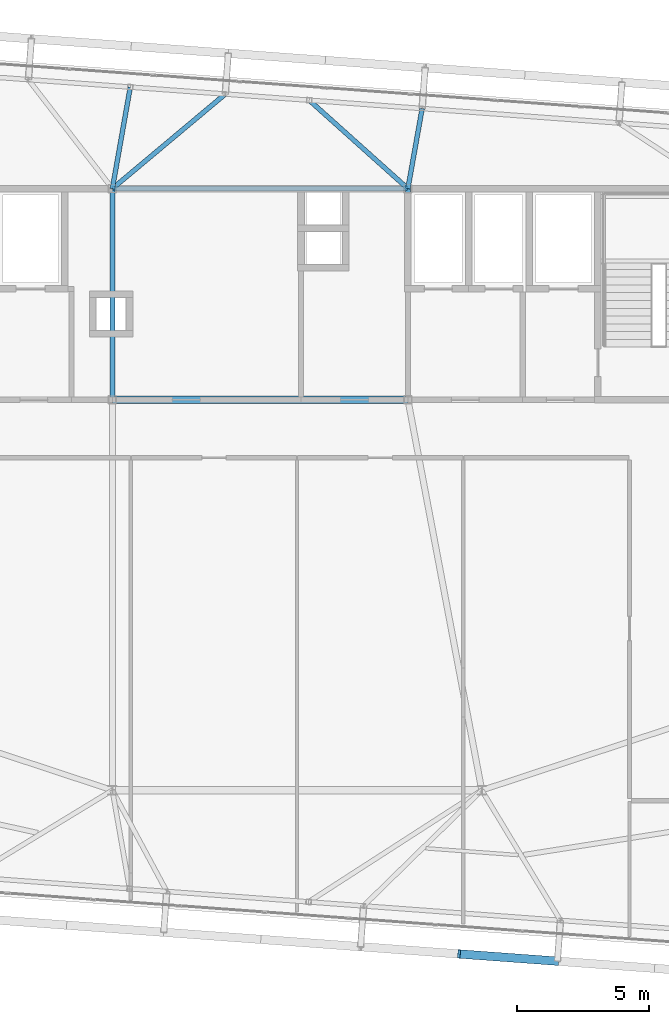
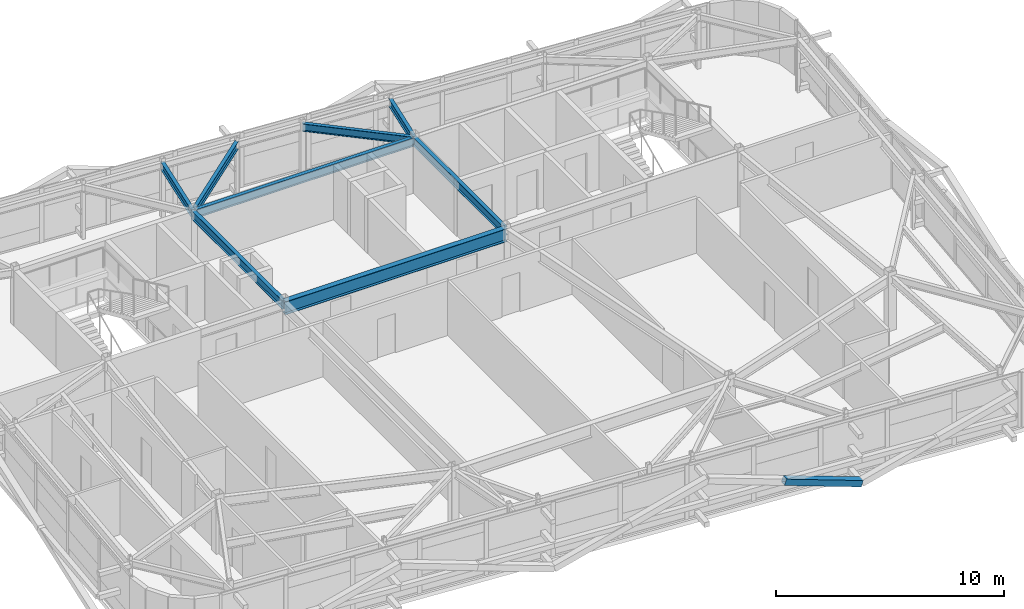
# One storey, part 18 of 42: 8 beams, 1 member.
"""IFC4 building model written with IfcOpenShell, lengths in metres."""

import ifcopenshell
import ifcopenshell.guid

model = None  # the IFC model being written
_history = None  # IfcOwnerHistory: only IFC2X3 demands one
_inside = {}  # id of a spatial element -> (the spatial element, [elements in it])
_under = {}  # id of a project, library or spatial element -> (it, [spatial elements below it])
_declared = {}  # id of a project -> (the project, [libraries it declares])
_typed = {}  # id of a type object -> (the type object, [elements of that type])
_made_of = {}  # id of a material, layer set ... -> (it, [elements and type objects made of it])


def new_model(schema):
    """Start an empty IFC model of exactly this schema.

    Asked for "IFC4X3", IfcOpenShell would pick the latest addendum, in which some entities
    have other attributes; the version numbers below select the first issue.
    IFC2X3 requires an IfcOwnerHistory on every rooted entity: one is made here for all.
    """
    global model, _history
    if schema == "IFC4X3":
        model = ifcopenshell.file(schema_version=(4, 3, 0, 0))
    else:
        model = ifcopenshell.file(schema=schema)
    _inside.clear()
    _under.clear()
    _declared.clear()
    _typed.clear()
    _made_of.clear()
    _history = None
    if model.schema == "IFC2X3":
        org = make("IfcOrganization", Name="unknown")
        user = make(
            "IfcPersonAndOrganization",
            ThePerson=make("IfcPerson", FamilyName="unknown"),
            TheOrganization=org,
        )
        app = make(
            "IfcApplication",
            ApplicationDeveloper=org,
            Version="unknown",
            ApplicationFullName="unknown",
            ApplicationIdentifier="unknown",
        )
        _history = make(
            "IfcOwnerHistory",
            OwningUser=user,
            OwningApplication=app,
            ChangeAction="ADDED",
            CreationDate=0,
        )
    return model


def make(cls, **values):
    """One entity of the class cls with the attributes given. An attribute that is None is left unset."""
    return model.create_entity(
        cls, **{name: value for name, value in values.items() if value is not None}
    )


def rooted(cls, **values):
    """An entity with a GlobalId (a new one), such as an element, a storey or a relation."""
    return make(cls, GlobalId=ifcopenshell.guid.new(), OwnerHistory=_history, **values)


def si_unit(unit_type, name, prefix=None):
    """IfcSIUnit, for example si_unit("LENGTHUNIT", "METRE", prefix="MILLI")."""
    return make("IfcSIUnit", UnitType=unit_type, Prefix=prefix, Name=name)


def assignment(units):
    """IfcUnitAssignment: the units of a project."""
    return None if units is None else make("IfcUnitAssignment", Units=units)


def point(xyz):
    """IfcCartesianPoint."""
    return None if xyz is None else make("IfcCartesianPoint", Coordinates=xyz)


def direction(xyz):
    """IfcDirection."""
    return None if xyz is None else make("IfcDirection", DirectionRatios=xyz)


def frame(location, z_axis=None, x_axis=None):
    """IfcAxis2Placement3D, a coordinate frame: its origin and axes. An axis left out is left unset."""
    return make(
        "IfcAxis2Placement3D",
        Location=point(location),
        Axis=direction(z_axis),
        RefDirection=direction(x_axis),
    )


def frame_2d(location, x_axis=None):
    """IfcAxis2Placement2D, a coordinate frame in the plane: its origin and x axis."""
    return make(
        "IfcAxis2Placement2D", Location=point(location), RefDirection=direction(x_axis)
    )


def origin():
    """The frame at (0, 0, 0) with its axes left unset."""
    return frame((0.0, 0.0, 0.0))


def origin_2d():
    """The frame at (0, 0) in the plane with its x axis left unset."""
    return frame_2d((0.0, 0.0))


def place(relative_to, where):
    """IfcLocalPlacement: puts the frame where relative to a parent placement (None: the world)."""
    return make(
        "IfcLocalPlacement", PlacementRelTo=relative_to, RelativePlacement=where
    )


def context(
    kind, dimensions, precision=None, world=None, true_north=None, identifier=None
):
    """IfcGeometricRepresentationContext, for example the 3D "Model" context."""
    return make(
        "IfcGeometricRepresentationContext",
        ContextIdentifier=identifier,
        ContextType=kind,
        CoordinateSpaceDimension=dimensions,
        Precision=precision,
        WorldCoordinateSystem=world,
        TrueNorth=true_north,
    )


def subcontext(parent, identifier, kind, view, scale=None):
    """IfcGeometricRepresentationSubContext, for example "Body" below "Model"."""
    return make(
        "IfcGeometricRepresentationSubContext",
        ContextIdentifier=identifier,
        ContextType=kind,
        ParentContext=parent,
        TargetScale=scale,
        TargetView=view,
    )


def project(units=None, contexts=None):
    """IfcProject with its units and contexts."""
    return rooted(
        "IfcProject",
        Name="project",
        RepresentationContexts=contexts,
        UnitsInContext=assignment(units),
    )


def spatial(cls, under=None, at=None, **own):
    """A site, building, storey or space (cls), placed at a placement, below another one or the project."""
    s = rooted(cls, ObjectPlacement=at, **own)
    if under is not None:
        _under.setdefault(under.id(), (under, []))[1].append(s)
    return s


def profile(cls, at=None, kind="AREA", **sizes):
    """A parametric profile (cls). Its sizes go by their IFC names, for example OverallWidth=200.0."""
    return make(cls, ProfileType=kind, Position=at, **sizes)


def hollow_rectangle(**sizes):
    """IfcRectangleHollowProfileDef."""
    return profile("IfcRectangleHollowProfileDef", **sizes)


def i_section(**sizes):
    """IfcIShapeProfileDef."""
    return profile("IfcIShapeProfileDef", **sizes)


def extrude(swept, where, along, depth):
    """IfcExtrudedAreaSolid: the profile swept, set in the frame where, extruded along a direction by depth."""
    return make(
        "IfcExtrudedAreaSolid",
        SweptArea=swept,
        Position=where,
        ExtrudedDirection=direction(along),
        Depth=depth,
    )


def shape(context_of_items, identifier, shape_type, items):
    """IfcShapeRepresentation: the items that make up one representation, for example the "Body"."""
    return make(
        "IfcShapeRepresentation",
        ContextOfItems=context_of_items,
        RepresentationIdentifier=identifier,
        RepresentationType=shape_type,
        Items=items,
    )


def source(mapping_origin, context_of_items, identifier, shape_type, items):
    """IfcRepresentationMap: a shape defined once, which mapped items show again and again."""
    return make(
        "IfcRepresentationMap",
        MappingOrigin=mapping_origin,
        MappedRepresentation=shape(context_of_items, identifier, shape_type, items),
    )


def transform(
    local_origin,
    x_axis=None,
    y_axis=None,
    z_axis=None,
    scale=None,
    scale2=None,
    scale3=None,
    uniform=True,
):
    """IfcCartesianTransformationOperator3D, or its non-uniform kind. x_axis, y_axis, z_axis: its Axis1, 2, 3."""
    if uniform:
        return make(
            "IfcCartesianTransformationOperator3D",
            Axis1=direction(x_axis),
            Axis2=direction(y_axis),
            LocalOrigin=point(local_origin),
            Scale=scale,
            Axis3=direction(z_axis),
        )
    return make(
        "IfcCartesianTransformationOperator3DnonUniform",
        Axis1=direction(x_axis),
        Axis2=direction(y_axis),
        LocalOrigin=point(local_origin),
        Scale=scale,
        Axis3=direction(z_axis),
        Scale2=scale2,
        Scale3=scale3,
    )


def mapped(mapping_source, mapping_target):
    """IfcMappedItem: shows the shape of a source again, moved by a transform."""
    return make(
        "IfcMappedItem", MappingSource=mapping_source, MappingTarget=mapping_target
    )


def material(Name=None, Category=None):
    """IfcMaterial."""
    return make("IfcMaterial", Name=Name, Category=Category)


def material_profile(
    of_material, cross_section, Name=None, Category=None, Priority=None
):
    """IfcMaterialProfile: a cross section and its material."""
    return make(
        "IfcMaterialProfile",
        Name=Name,
        Material=of_material,
        Profile=cross_section,
        Priority=Priority,
        Category=Category,
    )


def profile_set(profiles, Name=None, composite=None):
    """IfcMaterialProfileSet."""
    return make(
        "IfcMaterialProfileSet",
        Name=Name,
        MaterialProfiles=profiles,
        CompositeProfile=composite,
    )


def made_of(thing, what):
    """Note that an element or type object is made of a material, layer set ...; save() writes the relation."""
    if what is not None:
        _made_of.setdefault(what.id(), (what, []))[1].append(thing)
    return thing


def type_object(cls, material=None, **own):
    """A type object (cls), such as IfcWallType, which elements share."""
    return made_of(rooted(cls, **own), material)


def element(
    cls,
    number,
    at=None,
    inside=None,
    cuts=None,
    type_object=None,
    material=None,
    context=None,
    identifier="Body",
    shape_type=None,
    held_by="IfcProductDefinitionShape",
    body=None,
    shapes=None,
    **own,
):
    """One element of the class cls, such as IfcWall. Its Tag is "e" and its number.

    at: its placement. inside: the storey or other place that contains it. cuts: it is an
    opening in that element (IfcRelVoidsElement). A single representation is given by context,
    identifier, shape_type and body (its items); several are given by shapes. held_by: the class
    of the entity that holds the representations. save() writes the other relations.
    """
    e = rooted(cls, Tag="e%d" % number, ObjectPlacement=at, **own)
    if body is not None:
        shapes = [shape(context, identifier, shape_type, body)]
    if shapes is not None:
        e.Representation = make(held_by, Representations=shapes)
    if inside is not None:
        _inside.setdefault(inside.id(), (inside, []))[1].append(e)
    if cuts is not None:
        rooted(
            "IfcRelVoidsElement", RelatingBuildingElement=cuts, RelatedOpeningElement=e
        )
    if type_object is not None:
        _typed.setdefault(type_object.id(), (type_object, []))[1].append(e)
    return made_of(e, material)


def aggregate(whole, parts):
    """IfcRelAggregates: a whole, such as a stair, and the parts it consists of."""
    return rooted("IfcRelAggregates", RelatingObject=whole, RelatedObjects=parts)


def save(model, path):
    """Write the relations noted so far, then the file.

    IfcRelAggregates (storeys below a building ...), IfcRelContainedInSpatialStructure (elements
    in a storey), IfcRelDefinesByType, IfcRelAssociatesMaterial and IfcRelDeclares: one each for
    every whole, place, type object, material and project.
    """
    for whole, parts in _under.values():
        aggregate(whole, parts)
    for where, things in _inside.values():
        rooted(
            "IfcRelContainedInSpatialStructure",
            RelatedElements=things,
            RelatingStructure=where,
        )
    for kind, things in _typed.values():
        rooted("IfcRelDefinesByType", RelatedObjects=things, RelatingType=kind)
    for what, things in _made_of.values():
        rooted("IfcRelAssociatesMaterial", RelatedObjects=things, RelatingMaterial=what)
    for by, libraries in _declared.values():
        rooted("IfcRelDeclares", RelatingContext=by, RelatedDefinitions=libraries)
    model.write(path)


model = new_model("IFC4")

# Units and contexts
model_context = context("Model", 3, precision=1e-05, world=origin(), true_north=direction((0.0, 1.0)))
body_context = subcontext(model_context, "Body", "Model", "MODEL_VIEW")
ifc_project = project(units=[si_unit("LENGTHUNIT", "METRE"), si_unit("AREAUNIT", "SQUARE_METRE"), si_unit("VOLUMEUNIT", "CUBIC_METRE"), si_unit("PLANEANGLEUNIT", "RADIAN"), si_unit("MASSUNIT", "GRAM", prefix="KILO")], contexts=[model_context])

# Site, building, storey
site_placement = place(None, origin())
site = spatial("IfcSite", under=ifc_project, at=site_placement, CompositionType="ELEMENT")
building_placement = place(site_placement, origin())
building = spatial("IfcBuilding", under=site, at=building_placement, Name="Taldren Reach Tower", CompositionType="ELEMENT")
storey_placement = place(building_placement, frame((0.0, 0.0, 224.0)))
storey = spatial("IfcBuildingStorey", under=building, at=storey_placement, Name="L68", CompositionType="ELEMENT", Elevation=224.0)

# Beams
ifc_material_1 = material(Name="Steel Gr 350 (350PLUS)", Category="steel")
ifc_material_profile_1 = material_profile(ifc_material_1, i_section(OverallWidth=0.19091796875, OverallDepth=0.4599609375, WebThickness=0.010009765625, FlangeThickness=0.01611328125, at=origin_2d()), Name="460UB82.1")
ifc_profile_set_1 = profile_set([ifc_material_profile_1], Name="Steel Gr 350 (350PLUS)")
beam_type_1 = type_object("IfcBeamType", Name="BM-UB460A", PredefinedType="BEAM", material=ifc_profile_set_1)
shared_shape_1 = source(origin(), body_context, "Body", "SweptSolid", [
    extrude(i_section(OverallWidth=0.19091796875, OverallDepth=0.4599609375, WebThickness=0.010009765625, FlangeThickness=0.01611328125, at=origin_2d()), origin(), (0.0, 0.0, 1.0), 11.199951171875),
])
beam_1_placement = place(storey_placement, frame((28.0, 32.0, 2.699951171875), z_axis=(1.0, 0.0, 0.0), x_axis=(0.0, 1.0, 0.0)))
element("IfcBeam", 1, at=beam_1_placement, inside=storey, type_object=beam_type_1, Name="Core-spine girder L68-SP05", PredefinedType="BEAM", context=body_context, shape_type="MappedRepresentation", body=[
    mapped(shared_shape_1, transform((0.0, 0.0, 0.0), scale=1.0)),
])
shared_shape_2 = source(origin(), body_context, "Body", "SweptSolid", [
    extrude(i_section(OverallWidth=0.19091796875, OverallDepth=0.4599609375, WebThickness=0.010009765625, FlangeThickness=0.01611328125, at=origin_2d()), origin(), (0.0, 0.0, 1.0), 8.0),
])
for number, where, z_axis, x_axis, name in (
    (2, (28.0, 24.0, 2.699951171875), (0.0, 1.0, 0.0), (-1.0, 0.0, 0.0), "Core-spine girder L68-SP07"),
    (3, (39.199951171875, 24.0, 2.699951171875), (0.0, 1.0, 0.0), (-1.0, 0.0, 0.0), "Core-spine girder L68-SP08"),
):
    element("IfcBeam", number, at=place(storey_placement, frame(where, z_axis=z_axis, x_axis=x_axis)), inside=storey, type_object=beam_type_1, Name=name, PredefinedType="BEAM", context=body_context, shape_type="MappedRepresentation", body=[
        mapped(shared_shape_2, transform((0.0, 0.0, 0.0), scale=1.0)),
    ])
ifc_material_profile_2 = material_profile(ifc_material_1, i_section(OverallWidth=0.177978515625, OverallDepth=0.406005859375, WebThickness=0.0078125, FlangeThickness=0.0126953125, at=origin_2d()), Name="410UB59.7")
ifc_profile_set_2 = profile_set([ifc_material_profile_2], Name="Steel Gr 350 (350PLUS)")
beam_type_2 = type_object("IfcBeamType", Name="BM-UB410", PredefinedType="BEAM", material=ifc_profile_set_2)
shared_shape_3 = source(origin(), body_context, "Body", "SweptSolid", [
    extrude(i_section(OverallWidth=0.177978515625, OverallDepth=0.406005859375, WebThickness=0.0078125, FlangeThickness=0.0126953125, at=origin_2d()), origin(), (0.0, 0.0, 1.0), 3.0830078125),
])
beam_2_placement = place(storey_placement, frame((39.199951171875, 32.0, 2.72705078125), z_axis=(0.17500945263, 0.984566753191, 0.0), x_axis=(-0.984566753191, 0.17500945263, 0.0)))
element("IfcBeam", 4, at=beam_2_placement, inside=storey, type_object=beam_type_2, Name="Primary floor girder B5-N4 L68", PredefinedType="BEAM", context=body_context, shape_type="MappedRepresentation", body=[
    mapped(shared_shape_3, transform((0.0, 0.0, 0.0), scale=1.0)),
])
shared_shape_4 = source(origin(), body_context, "Body", "SweptSolid", [
    extrude(i_section(OverallWidth=0.177978515625, OverallDepth=0.406005859375, WebThickness=0.0078125, FlangeThickness=0.0126953125, at=origin_2d()), origin(), (0.0, 0.0, 1.0), 5.02001953125),
])
beam_3_placement = place(storey_placement, frame((39.199951171875, 32.0, 2.72705078125), z_axis=(-0.744827782377, 0.667256753132, 0.0), x_axis=(-0.667256753132, -0.744827782377, 0.0)))
element("IfcBeam", 5, at=beam_3_placement, inside=storey, type_object=beam_type_2, Name="Primary floor girder B5-PJN2 L68", PredefinedType="BEAM", context=body_context, shape_type="MappedRepresentation", body=[
    mapped(shared_shape_4, transform((0.0, 0.0, 0.0), scale=1.0)),
])
shared_shape_5 = source(origin(), body_context, "Body", "SweptSolid", [
    extrude(i_section(OverallWidth=0.177978515625, OverallDepth=0.406005859375, WebThickness=0.0078125, FlangeThickness=0.0126953125, at=origin_2d()), origin(), (0.0, 0.0, 1.0), 5.58154296875),
])
beam_4_placement = place(storey_placement, frame((28.0, 32.0, 2.72705078125), z_axis=(0.766724126108, 0.641976724222, 0.0), x_axis=(-0.641976724222, 0.766724126108, 0.0)))
element("IfcBeam", 6, at=beam_4_placement, inside=storey, type_object=beam_type_2, Name="Primary floor girder B5-N3 L68", PredefinedType="BEAM", context=body_context, shape_type="MappedRepresentation", body=[
    mapped(shared_shape_5, transform((0.0, 0.0, 0.0), scale=1.0)),
])
shared_shape_6 = source(origin(), body_context, "Body", "SweptSolid", [
    extrude(i_section(OverallWidth=0.177978515625, OverallDepth=0.406005859375, WebThickness=0.0078125, FlangeThickness=0.0126953125, at=origin_2d()), origin(), (0.0, 0.0, 1.0), 3.9072265625),
])
beam_5_placement = place(storey_placement, frame((28.0, 32.0, 2.72705078125), z_axis=(0.173835238379, 0.984774750843, 0.0), x_axis=(-0.984774750843, 0.173835238379, 0.0)))
element("IfcBeam", 7, at=beam_5_placement, inside=storey, type_object=beam_type_2, Name="Primary floor girder B5-PJN1 L68", PredefinedType="BEAM", context=body_context, shape_type="MappedRepresentation", body=[
    mapped(shared_shape_6, transform((0.0, 0.0, 0.0), scale=1.0)),
])

# Member
ifc_material_2 = material(Name="Steel Gr 450 (C450L0)", Category="steel")
ifc_material_profile_3 = material_profile(ifc_material_2, hollow_rectangle(XDim=0.324951171875, YDim=0.324951171875, WallThickness=0.0126953125, at=origin_2d()), Name="325x325x12.7SHS")
ifc_profile_set_3 = profile_set([ifc_material_profile_3], Name="Steel Gr 450 (C450L0)")
member_type = type_object("IfcMemberType", Name="MB-BR324", PredefinedType="BRACE", material=ifc_profile_set_3)
shared_shape_7 = source(origin(), body_context, "Body", "SweptSolid", [
    extrude(hollow_rectangle(XDim=0.324951171875, YDim=0.324951171875, WallThickness=0.0126953125, at=origin_2d()), origin(), (0.0, 0.0, 1.0), 3.932373046875),
])
member_placement = place(storey_placement, frame((44.86669921875, 2.72314453125, 0.219970703125), z_axis=(-0.948511132845, 0.069657644394, 0.308989390507), x_axis=(-0.07324169103, -0.997314220642, 0.0)))
element("IfcMember", 8, at=member_placement, inside=storey, type_object=member_type, Name="Exoskeleton Diagrid Brace B5-S4 L68", PredefinedType="BRACE", context=body_context, shape_type="MappedRepresentation", body=[
    mapped(shared_shape_7, transform((0.0, 0.0, 0.0), scale=1.0)),
])

# Beam
ifc_material_profile_4 = material_profile(ifc_material_1, i_section(OverallWidth=0.27490234375, OverallDepth=0.699951171875, WebThickness=0.010009765625, FlangeThickness=0.02001953125, at=origin_2d()), Name="700WB150")
ifc_profile_set_4 = profile_set([ifc_material_profile_4], Name="Steel Gr 350 (350PLUS)")
beam_type_3 = type_object("IfcBeamType", Name="BM-WB700", PredefinedType="BEAM", material=ifc_profile_set_4)
shared_shape_8 = source(origin(), body_context, "Body", "SweptSolid", [
    extrude(i_section(OverallWidth=0.27490234375, OverallDepth=0.699951171875, WebThickness=0.010009765625, FlangeThickness=0.02001953125, at=origin_2d()), origin(), (0.0, 0.0, 1.0), 11.199951171875),
])
beam_6_placement = place(storey_placement, frame((28.0, 24.0, 2.580078125), z_axis=(1.0, 0.0, 0.0), x_axis=(0.0, 1.0, 0.0)))
element("IfcBeam", 9, at=beam_6_placement, inside=storey, type_object=beam_type_3, Name="Core-spine girder L68-SP02", PredefinedType="BEAM", context=body_context, shape_type="MappedRepresentation", body=[
    mapped(shared_shape_8, transform((0.0, 0.0, 0.0), scale=1.0)),
])

save(model, "model.ifc")
